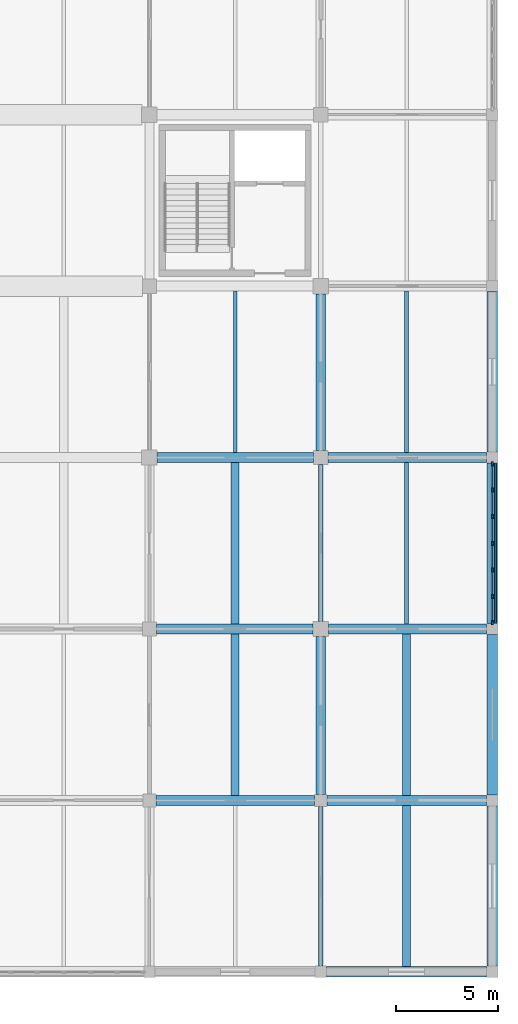
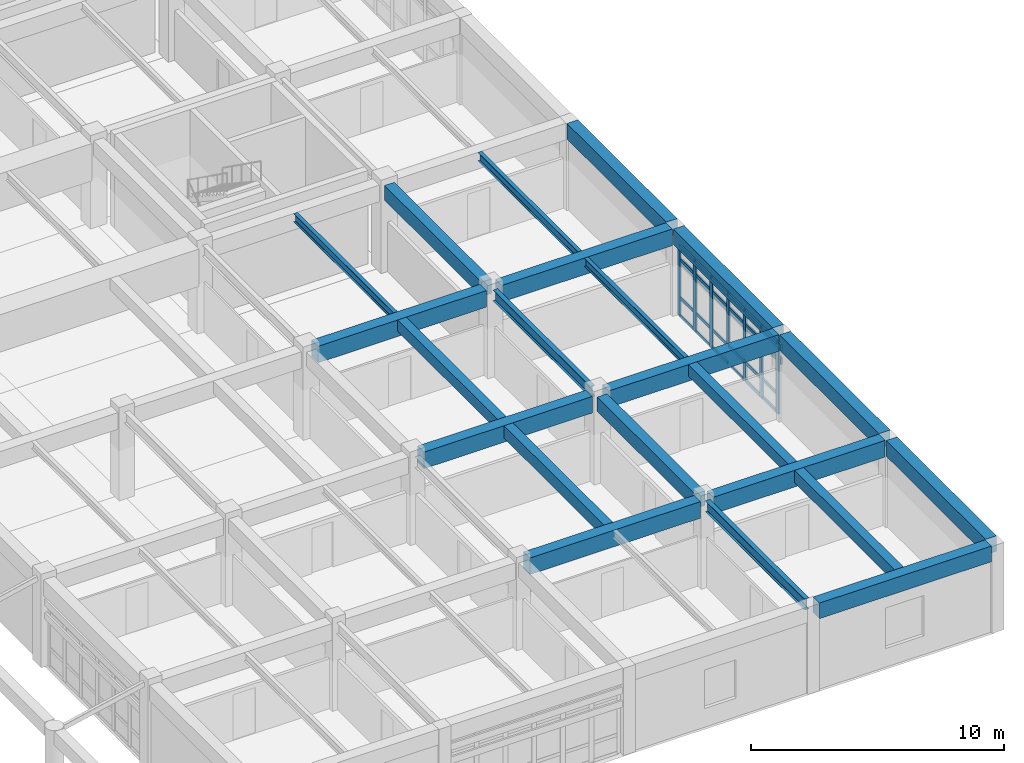
# One storey, part 46 of 99: 33 members, 22 beams, 1 element without a shape of its own.
"""IFC4 building model written with IfcOpenShell, lengths in metres."""

import ifcopenshell
import ifcopenshell.guid

model = None  # the IFC model being written
_history = None  # IfcOwnerHistory: only IFC2X3 demands one
_inside = {}  # id of a spatial element -> (the spatial element, [elements in it])
_under = {}  # id of a project, library or spatial element -> (it, [spatial elements below it])
_declared = {}  # id of a project -> (the project, [libraries it declares])
_typed = {}  # id of a type object -> (the type object, [elements of that type])
_made_of = {}  # id of a material, layer set ... -> (it, [elements and type objects made of it])


def new_model(schema):
    """Start an empty IFC model of exactly this schema.

    Asked for "IFC4X3", IfcOpenShell would pick the latest addendum, in which some entities
    have other attributes; the version numbers below select the first issue.
    IFC2X3 requires an IfcOwnerHistory on every rooted entity: one is made here for all.
    """
    global model, _history
    if schema == "IFC4X3":
        model = ifcopenshell.file(schema_version=(4, 3, 0, 0))
    else:
        model = ifcopenshell.file(schema=schema)
    _inside.clear()
    _under.clear()
    _declared.clear()
    _typed.clear()
    _made_of.clear()
    _history = None
    if model.schema == "IFC2X3":
        org = make("IfcOrganization", Name="unknown")
        user = make(
            "IfcPersonAndOrganization",
            ThePerson=make("IfcPerson", FamilyName="unknown"),
            TheOrganization=org,
        )
        app = make(
            "IfcApplication",
            ApplicationDeveloper=org,
            Version="unknown",
            ApplicationFullName="unknown",
            ApplicationIdentifier="unknown",
        )
        _history = make(
            "IfcOwnerHistory",
            OwningUser=user,
            OwningApplication=app,
            ChangeAction="ADDED",
            CreationDate=0,
        )
    return model


def make(cls, **values):
    """One entity of the class cls with the attributes given. An attribute that is None is left unset."""
    return model.create_entity(
        cls, **{name: value for name, value in values.items() if value is not None}
    )


def rooted(cls, **values):
    """An entity with a GlobalId (a new one), such as an element, a storey or a relation."""
    return make(cls, GlobalId=ifcopenshell.guid.new(), OwnerHistory=_history, **values)


def si_unit(unit_type, name, prefix=None):
    """IfcSIUnit, for example si_unit("LENGTHUNIT", "METRE", prefix="MILLI")."""
    return make("IfcSIUnit", UnitType=unit_type, Prefix=prefix, Name=name)


def assignment(units):
    """IfcUnitAssignment: the units of a project."""
    return None if units is None else make("IfcUnitAssignment", Units=units)


def point(xyz):
    """IfcCartesianPoint."""
    return None if xyz is None else make("IfcCartesianPoint", Coordinates=xyz)


def direction(xyz):
    """IfcDirection."""
    return None if xyz is None else make("IfcDirection", DirectionRatios=xyz)


def frame(location, z_axis=None, x_axis=None):
    """IfcAxis2Placement3D, a coordinate frame: its origin and axes. An axis left out is left unset."""
    return make(
        "IfcAxis2Placement3D",
        Location=point(location),
        Axis=direction(z_axis),
        RefDirection=direction(x_axis),
    )


def frame_2d(location, x_axis=None):
    """IfcAxis2Placement2D, a coordinate frame in the plane: its origin and x axis."""
    return make(
        "IfcAxis2Placement2D", Location=point(location), RefDirection=direction(x_axis)
    )


def origin():
    """The frame at (0, 0, 0) with its axes left unset."""
    return frame((0.0, 0.0, 0.0))


def origin_2d():
    """The frame at (0, 0) in the plane with its x axis left unset."""
    return frame_2d((0.0, 0.0))


def place(relative_to, where):
    """IfcLocalPlacement: puts the frame where relative to a parent placement (None: the world)."""
    return make(
        "IfcLocalPlacement", PlacementRelTo=relative_to, RelativePlacement=where
    )


def context(
    kind, dimensions, precision=None, world=None, true_north=None, identifier=None
):
    """IfcGeometricRepresentationContext, for example the 3D "Model" context."""
    return make(
        "IfcGeometricRepresentationContext",
        ContextIdentifier=identifier,
        ContextType=kind,
        CoordinateSpaceDimension=dimensions,
        Precision=precision,
        WorldCoordinateSystem=world,
        TrueNorth=true_north,
    )


def subcontext(parent, identifier, kind, view, scale=None):
    """IfcGeometricRepresentationSubContext, for example "Body" below "Model"."""
    return make(
        "IfcGeometricRepresentationSubContext",
        ContextIdentifier=identifier,
        ContextType=kind,
        ParentContext=parent,
        TargetScale=scale,
        TargetView=view,
    )


def project(units=None, contexts=None):
    """IfcProject with its units and contexts."""
    return rooted(
        "IfcProject",
        Name="project",
        RepresentationContexts=contexts,
        UnitsInContext=assignment(units),
    )


def spatial(cls, under=None, at=None, **own):
    """A site, building, storey or space (cls), placed at a placement, below another one or the project."""
    s = rooted(cls, ObjectPlacement=at, **own)
    if under is not None:
        _under.setdefault(under.id(), (under, []))[1].append(s)
    return s


def profile(cls, at=None, kind="AREA", **sizes):
    """A parametric profile (cls). Its sizes go by their IFC names, for example OverallWidth=200.0."""
    return make(cls, ProfileType=kind, Position=at, **sizes)


def rectangle(**sizes):
    """IfcRectangleProfileDef."""
    return profile("IfcRectangleProfileDef", **sizes)


def i_section(**sizes):
    """IfcIShapeProfileDef."""
    return profile("IfcIShapeProfileDef", **sizes)


def extrude(swept, where, along, depth):
    """IfcExtrudedAreaSolid: the profile swept, set in the frame where, extruded along a direction by depth."""
    return make(
        "IfcExtrudedAreaSolid",
        SweptArea=swept,
        Position=where,
        ExtrudedDirection=direction(along),
        Depth=depth,
    )


def shape(context_of_items, identifier, shape_type, items):
    """IfcShapeRepresentation: the items that make up one representation, for example the "Body"."""
    return make(
        "IfcShapeRepresentation",
        ContextOfItems=context_of_items,
        RepresentationIdentifier=identifier,
        RepresentationType=shape_type,
        Items=items,
    )


def material(Name=None, Category=None):
    """IfcMaterial."""
    return make("IfcMaterial", Name=Name, Category=Category)


def layer(
    of_material, thickness, ventilated=None, Name=None, Category=None, Priority=None
):
    """IfcMaterialLayer: one layer of a wall or slab, of a material (None: an air gap)."""
    return make(
        "IfcMaterialLayer",
        Material=of_material,
        LayerThickness=thickness,
        IsVentilated=ventilated,
        Name=Name,
        Category=Category,
        Priority=Priority,
    )


def layer_set(layers, Name=None):
    """IfcMaterialLayerSet."""
    return make("IfcMaterialLayerSet", MaterialLayers=layers, LayerSetName=Name)


def material_profile(
    of_material, cross_section, Name=None, Category=None, Priority=None
):
    """IfcMaterialProfile: a cross section and its material."""
    return make(
        "IfcMaterialProfile",
        Name=Name,
        Material=of_material,
        Profile=cross_section,
        Priority=Priority,
        Category=Category,
    )


def profile_set(profiles, Name=None, composite=None):
    """IfcMaterialProfileSet."""
    return make(
        "IfcMaterialProfileSet",
        Name=Name,
        MaterialProfiles=profiles,
        CompositeProfile=composite,
    )


def made_of(thing, what):
    """Note that an element or type object is made of a material, layer set ...; save() writes the relation."""
    if what is not None:
        _made_of.setdefault(what.id(), (what, []))[1].append(thing)
    return thing


def type_object(cls, material=None, **own):
    """A type object (cls), such as IfcWallType, which elements share."""
    return made_of(rooted(cls, **own), material)


def element(
    cls,
    number,
    at=None,
    inside=None,
    cuts=None,
    type_object=None,
    material=None,
    context=None,
    identifier="Body",
    shape_type=None,
    held_by="IfcProductDefinitionShape",
    body=None,
    shapes=None,
    **own,
):
    """One element of the class cls, such as IfcWall. Its Tag is "e" and its number.

    at: its placement. inside: the storey or other place that contains it. cuts: it is an
    opening in that element (IfcRelVoidsElement). A single representation is given by context,
    identifier, shape_type and body (its items); several are given by shapes. held_by: the class
    of the entity that holds the representations. save() writes the other relations.
    """
    e = rooted(cls, Tag="e%d" % number, ObjectPlacement=at, **own)
    if body is not None:
        shapes = [shape(context, identifier, shape_type, body)]
    if shapes is not None:
        e.Representation = make(held_by, Representations=shapes)
    if inside is not None:
        _inside.setdefault(inside.id(), (inside, []))[1].append(e)
    if cuts is not None:
        rooted(
            "IfcRelVoidsElement", RelatingBuildingElement=cuts, RelatedOpeningElement=e
        )
    if type_object is not None:
        _typed.setdefault(type_object.id(), (type_object, []))[1].append(e)
    return made_of(e, material)


def aggregate(whole, parts):
    """IfcRelAggregates: a whole, such as a stair, and the parts it consists of."""
    return rooted("IfcRelAggregates", RelatingObject=whole, RelatedObjects=parts)


def save(model, path):
    """Write the relations noted so far, then the file.

    IfcRelAggregates (storeys below a building ...), IfcRelContainedInSpatialStructure (elements
    in a storey), IfcRelDefinesByType, IfcRelAssociatesMaterial and IfcRelDeclares: one each for
    every whole, place, type object, material and project.
    """
    for whole, parts in _under.values():
        aggregate(whole, parts)
    for where, things in _inside.values():
        rooted(
            "IfcRelContainedInSpatialStructure",
            RelatedElements=things,
            RelatingStructure=where,
        )
    for kind, things in _typed.values():
        rooted("IfcRelDefinesByType", RelatedObjects=things, RelatingType=kind)
    for what, things in _made_of.values():
        rooted("IfcRelAssociatesMaterial", RelatedObjects=things, RelatingMaterial=what)
    for by, libraries in _declared.values():
        rooted("IfcRelDeclares", RelatingContext=by, RelatedDefinitions=libraries)
    model.write(path)


model = new_model("IFC4")

# Units and contexts
model_context = context("Model", 3, precision=1e-05, world=origin(), true_north=direction((0.0, 1.0)))
body_context = subcontext(model_context, "Body", "Model", "MODEL_VIEW")
ifc_project = project(units=[si_unit("LENGTHUNIT", "METRE"), si_unit("AREAUNIT", "SQUARE_METRE"), si_unit("VOLUMEUNIT", "CUBIC_METRE"), si_unit("PLANEANGLEUNIT", "RADIAN"), si_unit("MASSUNIT", "GRAM", prefix="KILO")], contexts=[model_context])

# Site, building, storey
site_placement = place(None, origin())
site = spatial("IfcSite", under=ifc_project, at=site_placement, CompositionType="ELEMENT")
building_placement = place(site_placement, origin())
building = spatial("IfcBuilding", under=site, at=building_placement, Name="Porcellanite Civic Hall", CompositionType="ELEMENT")
storey_placement = place(building_placement, frame((0.0, 0.0, 5.760009765625)))
storey = spatial("IfcBuildingStorey", under=building, at=storey_placement, Name="L01", CompositionType="ELEMENT", Elevation=5.760009765625)

# Beams
ifc_material_1 = material(Name="Concrete N50 (50 MPa)", Category="concrete")
ifc_material_profile_1 = material_profile(ifc_material_1, rectangle(XDim=0.39990234375, YDim=0.550048828125, at=origin_2d()), Name="RC-400x550")
ifc_profile_set_1 = profile_set([ifc_material_profile_1], Name="Concrete N50 (50 MPa)")
beam_type_1 = type_object("IfcBeamType", Name="BM-RC550", PredefinedType="JOIST", material=ifc_profile_set_1)
beam_1_placement = place(storey_placement, frame((163.800048828125, 17.049560546875, 3.925048828125), z_axis=(0.0, 1.0, 0.0), x_axis=(-1.0, 0.0, 0.0)))
element("IfcBeam", 1, at=beam_1_placement, inside=storey, type_object=beam_type_1, Name="Secondary joist L01 20-3", PredefinedType="JOIST", context=body_context, shape_type="SweptSolid", body=[
    extrude(rectangle(XDim=0.39990234375, YDim=0.550048828125, at=origin_2d()), origin(), (0.0, 0.0, 1.0), 7.90087890625),
])
beam_2_placement = place(storey_placement, frame((172.199951171875, 8.6494140625, 3.925048828125), z_axis=(0.0, 1.0, 0.0), x_axis=(-1.0, 0.0, 0.0)))
element("IfcBeam", 2, at=beam_2_placement, inside=storey, type_object=beam_type_1, Name="Secondary joist L01 21-2", PredefinedType="JOIST", context=body_context, shape_type="SweptSolid", body=[
    extrude(rectangle(XDim=0.39990234375, YDim=0.550048828125, at=origin_2d()), origin(), (0.0, 0.0, 1.0), 7.901123046875),
])
ifc_material_2 = material(Name="Concrete N50 (50 MPa)", Category="concrete")
ifc_material_profile_2 = material_profile(ifc_material_2, rectangle(XDim=0.39990234375, YDim=0.60009765625, at=origin_2d()), Name="RC-400x600")
ifc_profile_set_2 = profile_set([ifc_material_profile_2], Name="Concrete N50 (50 MPa)")
beam_type_2 = type_object("IfcBeamType", Name="BM-RC600", PredefinedType="JOIST", material=ifc_profile_set_2)
beam_3_placement = place(storey_placement, frame((163.800048828125, 8.6494140625, 3.89990234375), z_axis=(0.0, 1.0, 0.0), x_axis=(-1.0, 0.0, 0.0)))
element("IfcBeam", 3, at=beam_3_placement, inside=storey, type_object=beam_type_2, Name="Secondary joist L01 20-2", PredefinedType="JOIST", context=body_context, shape_type="SweptSolid", body=[
    extrude(rectangle(XDim=0.39990234375, YDim=0.60009765625, at=origin_2d()), origin(), (0.0, 0.0, 1.0), 7.901123046875),
])
beam_4_placement = place(storey_placement, frame((172.199951171875, 0.24951171875, 3.89990234375), z_axis=(0.0, 1.0, 0.0), x_axis=(-1.0, 0.0, 0.0)))
element("IfcBeam", 4, at=beam_4_placement, inside=storey, type_object=beam_type_2, Name="Secondary joist L01 21-1", PredefinedType="JOIST", context=body_context, shape_type="SweptSolid", body=[
    extrude(rectangle(XDim=0.39990234375, YDim=0.60009765625, at=origin_2d()), origin(), (0.0, 0.0, 1.0), 7.90087890625),
])
ifc_material_3 = material(Name="Concrete N50 (50 MPa)", Category="concrete")
ifc_material_profile_3 = material_profile(ifc_material_3, rectangle(XDim=0.449951171875, YDim=0.699951171875, at=origin_2d()), Name="RC-450x700")
ifc_profile_set_3 = profile_set([ifc_material_profile_3], Name="Concrete N50 (50 MPa)")
beam_type_3 = type_object("IfcBeamType", Name="BM-RC700", PredefinedType="BEAM", material=ifc_profile_set_3)
beam_5_placement = place(storey_placement, frame((168.0, 8.699462890625, 3.85009765625), z_axis=(0.0, 1.0, 0.0), x_axis=(-1.0, 0.0, 0.0)))
element("IfcBeam", 5, at=beam_5_placement, inside=storey, type_object=beam_type_3, Name="Beam Y L01 21-2", PredefinedType="BEAM", context=body_context, shape_type="SweptSolid", body=[
    extrude(rectangle(XDim=0.449951171875, YDim=0.699951171875, at=origin_2d()), origin(), (0.0, 0.0, 1.0), 7.72607421875),
])
beam_6_placement = place(storey_placement, frame((168.0, 25.549560546875, 3.85009765625), z_axis=(0.0, 1.0, 0.0), x_axis=(-1.0, 0.0, 0.0)))
element("IfcBeam", 6, at=beam_6_placement, inside=storey, type_object=beam_type_3, Name="Beam Y L01 21-4", PredefinedType="BEAM", context=body_context, shape_type="SweptSolid", body=[
    extrude(rectangle(XDim=0.449951171875, YDim=0.699951171875, at=origin_2d()), origin(), (0.0, 0.0, 1.0), 7.676025390625),
])
ifc_material_4 = material(Name="Concrete N50 (50 MPa)", Category="concrete")
ifc_material_profile_4 = material_profile(ifc_material_4, rectangle(XDim=0.5, YDim=0.75, at=origin_2d()), Name="RC-500x750")
ifc_profile_set_4 = profile_set([ifc_material_profile_4], Name="Concrete N50 (50 MPa)")
beam_type_4 = type_object("IfcBeamType", Name="BM-RC750", PredefinedType="SPANDREL", material=ifc_profile_set_4)
for number, where, z_axis, x_axis, name in (
    (7, (168.2744140625, 0.0, 3.824951171875), (1.0, 0.0, 0.0), (0.0, 1.0, 0.0), "Beam X L01 21-1"),
    (8, (176.39990234375, 0.2744140625, 3.824951171875), (0.0, 1.0, 0.0), (-1.0, 0.0, 0.0), "Beam Y L01 22-1"),
):
    element("IfcBeam", number, at=place(storey_placement, frame(where, z_axis=z_axis, x_axis=x_axis)), inside=storey, type_object=beam_type_4, Name=name, PredefinedType="SPANDREL", context=body_context, shape_type="SweptSolid", body=[
        extrude(rectangle(XDim=0.5, YDim=0.75, at=origin_2d()), origin(), (0.0, 0.0, 1.0), 7.85107421875),
    ])
beam_7_placement = place(storey_placement, frame((176.39990234375, 8.674560546875, 3.824951171875), z_axis=(0.0, 1.0, 0.0), x_axis=(-1.0, 0.0, 0.0)))
element("IfcBeam", 9, at=beam_7_placement, inside=storey, type_object=beam_type_4, Name="Beam Y L01 22-2", PredefinedType="SPANDREL", context=body_context, shape_type="SweptSolid", body=[
    extrude(rectangle(XDim=0.5, YDim=0.75, at=origin_2d()), origin(), (0.0, 0.0, 1.0), 7.850830078125),
])
beam_8_placement = place(storey_placement, frame((176.39990234375, 17.074462890625, 3.824951171875), z_axis=(0.0, 1.0, 0.0), x_axis=(-1.0, 0.0, 0.0)))
element("IfcBeam", 10, at=beam_8_placement, inside=storey, type_object=beam_type_4, Name="Beam Y L01 22-3", PredefinedType="SPANDREL", context=body_context, shape_type="SweptSolid", body=[
    extrude(rectangle(XDim=0.5, YDim=0.75, at=origin_2d()), origin(), (0.0, 0.0, 1.0), 7.85107421875),
])
beam_9_placement = place(storey_placement, frame((176.39990234375, 25.474609375, 3.824951171875), z_axis=(0.0, 1.0, 0.0), x_axis=(-1.0, 0.0, 0.0)))
element("IfcBeam", 11, at=beam_9_placement, inside=storey, type_object=beam_type_4, Name="Beam Y L01 22-4", PredefinedType="SPANDREL", context=body_context, shape_type="SweptSolid", body=[
    extrude(rectangle(XDim=0.5, YDim=0.75, at=origin_2d()), origin(), (0.0, 0.0, 1.0), 7.850830078125),
])
ifc_material_5 = material(Name="Concrete N50 (50 MPa)", Category="concrete")
ifc_material_profile_5 = material_profile(ifc_material_5, rectangle(XDim=0.5, YDim=0.800048828125, at=origin_2d()), Name="RC-500x800")
ifc_profile_set_5 = profile_set([ifc_material_profile_5], Name="Concrete N50 (50 MPa)")
beam_type_5 = type_object("IfcBeamType", Name="BM-RC800", PredefinedType="BEAM", material=ifc_profile_set_5)
beam_10_placement = place(storey_placement, frame((159.924560546875, 8.39990234375, 3.800048828125), z_axis=(1.0, 0.0, 0.0), x_axis=(0.0, 1.0, 0.0)))
element("IfcBeam", 12, at=beam_10_placement, inside=storey, type_object=beam_type_5, Name="Beam X L01 20-2", PredefinedType="BEAM", context=body_context, shape_type="SweptSolid", body=[
    extrude(rectangle(XDim=0.5, YDim=0.800048828125, at=origin_2d()), origin(), (0.0, 0.0, 1.0), 7.77587890625),
])
beam_11_placement = place(storey_placement, frame((159.949462890625, 16.800048828125, 3.800048828125), z_axis=(1.0, 0.0, 0.0), x_axis=(0.0, 1.0, 0.0)))
element("IfcBeam", 13, at=beam_11_placement, inside=storey, type_object=beam_type_5, Name="Beam X L01 20-3", PredefinedType="BEAM", context=body_context, shape_type="SweptSolid", body=[
    extrude(rectangle(XDim=0.5, YDim=0.800048828125, at=origin_2d()), origin(), (0.0, 0.0, 1.0), 7.676025390625),
])
beam_12_placement = place(storey_placement, frame((159.974609375, 25.199951171875, 3.800048828125), z_axis=(1.0, 0.0, 0.0), x_axis=(0.0, 1.0, 0.0)))
element("IfcBeam", 14, at=beam_12_placement, inside=storey, type_object=beam_type_5, Name="Beam X L01 20-4", PredefinedType="BEAM", context=body_context, shape_type="SweptSolid", body=[
    extrude(rectangle(XDim=0.5, YDim=0.800048828125, at=origin_2d()), origin(), (0.0, 0.0, 1.0), 7.67578125),
])
beam_13_placement = place(storey_placement, frame((168.299560546875, 8.39990234375, 3.800048828125), z_axis=(1.0, 0.0, 0.0), x_axis=(0.0, 1.0, 0.0)))
element("IfcBeam", 15, at=beam_13_placement, inside=storey, type_object=beam_type_5, Name="Beam X L01 21-2", PredefinedType="BEAM", context=body_context, shape_type="SweptSolid", body=[
    extrude(rectangle(XDim=0.5, YDim=0.800048828125, at=origin_2d()), origin(), (0.0, 0.0, 1.0), 7.825927734375),
])
beam_14_placement = place(storey_placement, frame((168.37451171875, 16.800048828125, 3.800048828125), z_axis=(1.0, 0.0, 0.0), x_axis=(0.0, 1.0, 0.0)))
element("IfcBeam", 16, at=beam_14_placement, inside=storey, type_object=beam_type_5, Name="Beam X L01 21-3", PredefinedType="BEAM", context=body_context, shape_type="SweptSolid", body=[
    extrude(rectangle(XDim=0.5, YDim=0.800048828125, at=origin_2d()), origin(), (0.0, 0.0, 1.0), 7.7509765625),
])
beam_15_placement = place(storey_placement, frame((168.349609375, 25.199951171875, 3.800048828125), z_axis=(1.0, 0.0, 0.0), x_axis=(0.0, 1.0, 0.0)))
element("IfcBeam", 17, at=beam_15_placement, inside=storey, type_object=beam_type_5, Name="Beam X L01 21-4", PredefinedType="BEAM", context=body_context, shape_type="SweptSolid", body=[
    extrude(rectangle(XDim=0.5, YDim=0.800048828125, at=origin_2d()), origin(), (0.0, 0.0, 1.0), 7.77587890625),
])

# Curtain wall, members
ifc_material_6 = material(Name="Anodised aluminium and solar laminated glass", Category="aluminium")
ifc_layer = layer(ifc_material_6, 0.179931640625)
ifc_layer_set = layer_set([ifc_layer], Name="Anodised aluminium and solar laminated glass")
curtain_wall_type = type_object("IfcCurtainWallType", Name="CW-SYS02", PredefinedType="NOTDEFINED", material=ifc_layer_set)
curtain_wall_placement = place(storey_placement, origin())
curtain_wall = element("IfcCurtainWall", 18, at=curtain_wall_placement, inside=storey, type_object=curtain_wall_type, Name="Curtain wall CW-129", PredefinedType="NOTDEFINED")
ifc_material_7 = material(Name="Anodised aluminium 6063-T6", Category="aluminium")
ifc_material_profile_6 = material_profile(ifc_material_7, rectangle(XDim=0.074951171875, YDim=0.219970703125, at=origin_2d()), Name="AL-75x220")
ifc_profile_set_6 = profile_set([ifc_material_profile_6], Name="Anodised aluminium 6063-T6")
member_type_1 = type_object("IfcMemberType", Name="CWM-03", PredefinedType="MULLION", material=ifc_profile_set_6)
member_1_placement = place(storey_placement, frame((176.39990234375, 24.886474609375, 0.0), z_axis=(0.0, 0.0, 1.0), x_axis=(1.0, 0.0, 0.0)))
member_1 = element("IfcMember", 19, at=member_1_placement, type_object=member_type_1, Name="CW-129 mullion 1", PredefinedType="MULLION", context=body_context, shape_type="SweptSolid", body=[
    extrude(rectangle(XDim=0.074951171875, YDim=0.219970703125, at=origin_2d()), origin(), (0.0, 0.0, 1.0), 3.39990234375),
])
member_2_placement = place(storey_placement, frame((176.39990234375, 23.615966796875, 0.0), z_axis=(0.0, 0.0, 1.0), x_axis=(1.0, 0.0, 0.0)))
member_2 = element("IfcMember", 20, at=member_2_placement, type_object=member_type_1, Name="CW-129 mullion 2", PredefinedType="MULLION", context=body_context, shape_type="SweptSolid", body=[
    extrude(rectangle(XDim=0.074951171875, YDim=0.219970703125, at=origin_2d()), origin(), (0.0, 0.0, 1.0), 3.39990234375),
])
member_3_placement = place(storey_placement, frame((176.39990234375, 22.30810546875, 0.0), z_axis=(0.0, 0.0, 1.0), x_axis=(1.0, 0.0, 0.0)))
member_3 = element("IfcMember", 21, at=member_3_placement, type_object=member_type_1, Name="CW-129 mullion 3", PredefinedType="MULLION", context=body_context, shape_type="SweptSolid", body=[
    extrude(rectangle(XDim=0.074951171875, YDim=0.219970703125, at=origin_2d()), origin(), (0.0, 0.0, 1.0), 3.39990234375),
])
member_4_placement = place(storey_placement, frame((176.39990234375, 21.0, 0.0), z_axis=(0.0, 0.0, 1.0), x_axis=(1.0, 0.0, 0.0)))
member_4 = element("IfcMember", 22, at=member_4_placement, type_object=member_type_1, Name="CW-129 mullion 4", PredefinedType="MULLION", context=body_context, shape_type="SweptSolid", body=[
    extrude(rectangle(XDim=0.074951171875, YDim=0.219970703125, at=origin_2d()), origin(), (0.0, 0.0, 1.0), 3.39990234375),
])
member_5_placement = place(storey_placement, frame((176.39990234375, 19.69189453125, 0.0), z_axis=(0.0, 0.0, 1.0), x_axis=(1.0, 0.0, 0.0)))
member_5 = element("IfcMember", 23, at=member_5_placement, type_object=member_type_1, Name="CW-129 mullion 5", PredefinedType="MULLION", context=body_context, shape_type="SweptSolid", body=[
    extrude(rectangle(XDim=0.074951171875, YDim=0.219970703125, at=origin_2d()), origin(), (0.0, 0.0, 1.0), 3.39990234375),
])
member_6_placement = place(storey_placement, frame((176.39990234375, 18.384033203125, 0.0), z_axis=(0.0, 0.0, 1.0), x_axis=(1.0, 0.0, 0.0)))
member_6 = element("IfcMember", 24, at=member_6_placement, type_object=member_type_1, Name="CW-129 mullion 6", PredefinedType="MULLION", context=body_context, shape_type="SweptSolid", body=[
    extrude(rectangle(XDim=0.074951171875, YDim=0.219970703125, at=origin_2d()), origin(), (0.0, 0.0, 1.0), 3.39990234375),
])
member_7_placement = place(storey_placement, frame((176.39990234375, 17.113525390625, 0.0), z_axis=(0.0, 0.0, 1.0), x_axis=(1.0, 0.0, 0.0)))
member_7 = element("IfcMember", 25, at=member_7_placement, type_object=member_type_1, Name="CW-129 mullion 7", PredefinedType="MULLION", context=body_context, shape_type="SweptSolid", body=[
    extrude(rectangle(XDim=0.074951171875, YDim=0.219970703125, at=origin_2d()), origin(), (0.0, 0.0, 1.0), 3.39990234375),
])
ifc_material_8 = material(Name="Anodised aluminium 6063-T6", Category="aluminium")
ifc_material_profile_7 = material_profile(ifc_material_8, rectangle(XDim=0.06494140625, YDim=0.14990234375, at=origin_2d()), Name="AL-65x150")
ifc_profile_set_7 = profile_set([ifc_material_profile_7], Name="Anodised aluminium 6063-T6")
member_type_2 = type_object("IfcMemberType", Name="CWT-02", PredefinedType="USERDEFINED", material=ifc_profile_set_7)
member_8_placement = place(storey_placement, frame((176.39990234375, 24.84912109375, 0.032470703125), z_axis=(0.0, -1.0, 0.0), x_axis=(1.0, 0.0, 0.0)))
member_8 = element("IfcMember", 26, at=member_8_placement, type_object=member_type_2, Name="CW-129 transom 1.1", ObjectType="TRANSOM", PredefinedType="USERDEFINED", context=body_context, shape_type="SweptSolid", body=[
    extrude(rectangle(XDim=0.06494140625, YDim=0.14990234375, at=origin_2d()), origin(), (0.0, 0.0, 1.0), 1.195556640625),
])
member_9_placement = place(storey_placement, frame((176.39990234375, 24.84912109375, 0.89990234375), z_axis=(0.0, -1.0, 0.0), x_axis=(1.0, 0.0, 0.0)))
member_9 = element("IfcMember", 27, at=member_9_placement, type_object=member_type_2, Name="CW-129 transom 1.2", ObjectType="TRANSOM", PredefinedType="USERDEFINED", context=body_context, shape_type="SweptSolid", body=[
    extrude(rectangle(XDim=0.06494140625, YDim=0.14990234375, at=origin_2d()), origin(), (0.0, 0.0, 1.0), 1.195556640625),
])
member_10_placement = place(storey_placement, frame((176.39990234375, 24.84912109375, 2.75), z_axis=(0.0, -1.0, 0.0), x_axis=(1.0, 0.0, 0.0)))
member_10 = element("IfcMember", 28, at=member_10_placement, type_object=member_type_2, Name="CW-129 transom 1.3", ObjectType="TRANSOM", PredefinedType="USERDEFINED", context=body_context, shape_type="SweptSolid", body=[
    extrude(rectangle(XDim=0.06494140625, YDim=0.14990234375, at=origin_2d()), origin(), (0.0, 0.0, 1.0), 1.195556640625),
])
member_11_placement = place(storey_placement, frame((176.39990234375, 24.84912109375, 3.367431640625), z_axis=(0.0, -1.0, 0.0), x_axis=(1.0, 0.0, 0.0)))
member_11 = element("IfcMember", 29, at=member_11_placement, type_object=member_type_2, Name="CW-129 transom 1.4", ObjectType="TRANSOM", PredefinedType="USERDEFINED", context=body_context, shape_type="SweptSolid", body=[
    extrude(rectangle(XDim=0.06494140625, YDim=0.14990234375, at=origin_2d()), origin(), (0.0, 0.0, 1.0), 1.195556640625),
])
member_12_placement = place(storey_placement, frame((176.39990234375, 23.57861328125, 0.032470703125), z_axis=(0.0, -1.0, 0.0), x_axis=(1.0, 0.0, 0.0)))
member_12 = element("IfcMember", 30, at=member_12_placement, type_object=member_type_2, Name="CW-129 transom 2.1", ObjectType="TRANSOM", PredefinedType="USERDEFINED", context=body_context, shape_type="SweptSolid", body=[
    extrude(rectangle(XDim=0.06494140625, YDim=0.14990234375, at=origin_2d()), origin(), (0.0, 0.0, 1.0), 1.233154296875),
])
member_13_placement = place(storey_placement, frame((176.39990234375, 23.57861328125, 0.89990234375), z_axis=(0.0, -1.0, 0.0), x_axis=(1.0, 0.0, 0.0)))
member_13 = element("IfcMember", 31, at=member_13_placement, type_object=member_type_2, Name="CW-129 transom 2.2", ObjectType="TRANSOM", PredefinedType="USERDEFINED", context=body_context, shape_type="SweptSolid", body=[
    extrude(rectangle(XDim=0.06494140625, YDim=0.14990234375, at=origin_2d()), origin(), (0.0, 0.0, 1.0), 1.233154296875),
])
member_14_placement = place(storey_placement, frame((176.39990234375, 23.57861328125, 2.75), z_axis=(0.0, -1.0, 0.0), x_axis=(1.0, 0.0, 0.0)))
member_14 = element("IfcMember", 32, at=member_14_placement, type_object=member_type_2, Name="CW-129 transom 2.3", ObjectType="TRANSOM", PredefinedType="USERDEFINED", context=body_context, shape_type="SweptSolid", body=[
    extrude(rectangle(XDim=0.06494140625, YDim=0.14990234375, at=origin_2d()), origin(), (0.0, 0.0, 1.0), 1.233154296875),
])
member_15_placement = place(storey_placement, frame((176.39990234375, 23.57861328125, 3.367431640625), z_axis=(0.0, -1.0, 0.0), x_axis=(1.0, 0.0, 0.0)))
member_15 = element("IfcMember", 33, at=member_15_placement, type_object=member_type_2, Name="CW-129 transom 2.4", ObjectType="TRANSOM", PredefinedType="USERDEFINED", context=body_context, shape_type="SweptSolid", body=[
    extrude(rectangle(XDim=0.06494140625, YDim=0.14990234375, at=origin_2d()), origin(), (0.0, 0.0, 1.0), 1.233154296875),
])
member_16_placement = place(storey_placement, frame((176.39990234375, 22.2705078125, 0.032470703125), z_axis=(0.0, -1.0, 0.0), x_axis=(1.0, 0.0, 0.0)))
member_16 = element("IfcMember", 34, at=member_16_placement, type_object=member_type_2, Name="CW-129 transom 3.1", ObjectType="TRANSOM", PredefinedType="USERDEFINED", context=body_context, shape_type="SweptSolid", body=[
    extrude(rectangle(XDim=0.06494140625, YDim=0.14990234375, at=origin_2d()), origin(), (0.0, 0.0, 1.0), 1.23291015625),
])
member_17_placement = place(storey_placement, frame((176.39990234375, 22.2705078125, 0.89990234375), z_axis=(0.0, -1.0, 0.0), x_axis=(1.0, 0.0, 0.0)))
member_17 = element("IfcMember", 35, at=member_17_placement, type_object=member_type_2, Name="CW-129 transom 3.2", ObjectType="TRANSOM", PredefinedType="USERDEFINED", context=body_context, shape_type="SweptSolid", body=[
    extrude(rectangle(XDim=0.06494140625, YDim=0.14990234375, at=origin_2d()), origin(), (0.0, 0.0, 1.0), 1.23291015625),
])
member_18_placement = place(storey_placement, frame((176.39990234375, 22.2705078125, 2.75), z_axis=(0.0, -1.0, 0.0), x_axis=(1.0, 0.0, 0.0)))
member_18 = element("IfcMember", 36, at=member_18_placement, type_object=member_type_2, Name="CW-129 transom 3.3", ObjectType="TRANSOM", PredefinedType="USERDEFINED", context=body_context, shape_type="SweptSolid", body=[
    extrude(rectangle(XDim=0.06494140625, YDim=0.14990234375, at=origin_2d()), origin(), (0.0, 0.0, 1.0), 1.23291015625),
])
member_19_placement = place(storey_placement, frame((176.39990234375, 22.2705078125, 3.367431640625), z_axis=(0.0, -1.0, 0.0), x_axis=(1.0, 0.0, 0.0)))
member_19 = element("IfcMember", 37, at=member_19_placement, type_object=member_type_2, Name="CW-129 transom 3.4", ObjectType="TRANSOM", PredefinedType="USERDEFINED", context=body_context, shape_type="SweptSolid", body=[
    extrude(rectangle(XDim=0.06494140625, YDim=0.14990234375, at=origin_2d()), origin(), (0.0, 0.0, 1.0), 1.23291015625),
])
member_20_placement = place(storey_placement, frame((176.39990234375, 20.96240234375, 0.032470703125), z_axis=(0.0, -1.0, 0.0), x_axis=(1.0, 0.0, 0.0)))
member_20 = element("IfcMember", 38, at=member_20_placement, type_object=member_type_2, Name="CW-129 transom 4.1", ObjectType="TRANSOM", PredefinedType="USERDEFINED", context=body_context, shape_type="SweptSolid", body=[
    extrude(rectangle(XDim=0.06494140625, YDim=0.14990234375, at=origin_2d()), origin(), (0.0, 0.0, 1.0), 1.23291015625),
])
member_21_placement = place(storey_placement, frame((176.39990234375, 20.96240234375, 0.89990234375), z_axis=(0.0, -1.0, 0.0), x_axis=(1.0, 0.0, 0.0)))
member_21 = element("IfcMember", 39, at=member_21_placement, type_object=member_type_2, Name="CW-129 transom 4.2", ObjectType="TRANSOM", PredefinedType="USERDEFINED", context=body_context, shape_type="SweptSolid", body=[
    extrude(rectangle(XDim=0.06494140625, YDim=0.14990234375, at=origin_2d()), origin(), (0.0, 0.0, 1.0), 1.23291015625),
])
member_22_placement = place(storey_placement, frame((176.39990234375, 20.96240234375, 2.75), z_axis=(0.0, -1.0, 0.0), x_axis=(1.0, 0.0, 0.0)))
member_22 = element("IfcMember", 40, at=member_22_placement, type_object=member_type_2, Name="CW-129 transom 4.3", ObjectType="TRANSOM", PredefinedType="USERDEFINED", context=body_context, shape_type="SweptSolid", body=[
    extrude(rectangle(XDim=0.06494140625, YDim=0.14990234375, at=origin_2d()), origin(), (0.0, 0.0, 1.0), 1.23291015625),
])
member_23_placement = place(storey_placement, frame((176.39990234375, 20.96240234375, 3.367431640625), z_axis=(0.0, -1.0, 0.0), x_axis=(1.0, 0.0, 0.0)))
member_23 = element("IfcMember", 41, at=member_23_placement, type_object=member_type_2, Name="CW-129 transom 4.4", ObjectType="TRANSOM", PredefinedType="USERDEFINED", context=body_context, shape_type="SweptSolid", body=[
    extrude(rectangle(XDim=0.06494140625, YDim=0.14990234375, at=origin_2d()), origin(), (0.0, 0.0, 1.0), 1.23291015625),
])
member_24_placement = place(storey_placement, frame((176.39990234375, 19.654541015625, 0.032470703125), z_axis=(0.0, -1.0, 0.0), x_axis=(1.0, 0.0, 0.0)))
member_24 = element("IfcMember", 42, at=member_24_placement, type_object=member_type_2, Name="CW-129 transom 5.1", ObjectType="TRANSOM", PredefinedType="USERDEFINED", context=body_context, shape_type="SweptSolid", body=[
    extrude(rectangle(XDim=0.06494140625, YDim=0.14990234375, at=origin_2d()), origin(), (0.0, 0.0, 1.0), 1.233154296875),
])
member_25_placement = place(storey_placement, frame((176.39990234375, 19.654541015625, 0.89990234375), z_axis=(0.0, -1.0, 0.0), x_axis=(1.0, 0.0, 0.0)))
member_25 = element("IfcMember", 43, at=member_25_placement, type_object=member_type_2, Name="CW-129 transom 5.2", ObjectType="TRANSOM", PredefinedType="USERDEFINED", context=body_context, shape_type="SweptSolid", body=[
    extrude(rectangle(XDim=0.06494140625, YDim=0.14990234375, at=origin_2d()), origin(), (0.0, 0.0, 1.0), 1.233154296875),
])
member_26_placement = place(storey_placement, frame((176.39990234375, 19.654541015625, 2.75), z_axis=(0.0, -1.0, 0.0), x_axis=(1.0, 0.0, 0.0)))
member_26 = element("IfcMember", 44, at=member_26_placement, type_object=member_type_2, Name="CW-129 transom 5.3", ObjectType="TRANSOM", PredefinedType="USERDEFINED", context=body_context, shape_type="SweptSolid", body=[
    extrude(rectangle(XDim=0.06494140625, YDim=0.14990234375, at=origin_2d()), origin(), (0.0, 0.0, 1.0), 1.233154296875),
])
member_27_placement = place(storey_placement, frame((176.39990234375, 19.654541015625, 3.367431640625), z_axis=(0.0, -1.0, 0.0), x_axis=(1.0, 0.0, 0.0)))
member_27 = element("IfcMember", 45, at=member_27_placement, type_object=member_type_2, Name="CW-129 transom 5.4", ObjectType="TRANSOM", PredefinedType="USERDEFINED", context=body_context, shape_type="SweptSolid", body=[
    extrude(rectangle(XDim=0.06494140625, YDim=0.14990234375, at=origin_2d()), origin(), (0.0, 0.0, 1.0), 1.233154296875),
])
member_28_placement = place(storey_placement, frame((176.39990234375, 18.346435546875, 0.032470703125), z_axis=(0.0, -1.0, 0.0), x_axis=(1.0, 0.0, 0.0)))
member_28 = element("IfcMember", 46, at=member_28_placement, type_object=member_type_2, Name="CW-129 transom 6.1", ObjectType="TRANSOM", PredefinedType="USERDEFINED", context=body_context, shape_type="SweptSolid", body=[
    extrude(rectangle(XDim=0.06494140625, YDim=0.14990234375, at=origin_2d()), origin(), (0.0, 0.0, 1.0), 1.195556640625),
])
member_29_placement = place(storey_placement, frame((176.39990234375, 18.346435546875, 0.89990234375), z_axis=(0.0, -1.0, 0.0), x_axis=(1.0, 0.0, 0.0)))
member_29 = element("IfcMember", 47, at=member_29_placement, type_object=member_type_2, Name="CW-129 transom 6.2", ObjectType="TRANSOM", PredefinedType="USERDEFINED", context=body_context, shape_type="SweptSolid", body=[
    extrude(rectangle(XDim=0.06494140625, YDim=0.14990234375, at=origin_2d()), origin(), (0.0, 0.0, 1.0), 1.195556640625),
])
member_30_placement = place(storey_placement, frame((176.39990234375, 18.346435546875, 2.75), z_axis=(0.0, -1.0, 0.0), x_axis=(1.0, 0.0, 0.0)))
member_30 = element("IfcMember", 48, at=member_30_placement, type_object=member_type_2, Name="CW-129 transom 6.3", ObjectType="TRANSOM", PredefinedType="USERDEFINED", context=body_context, shape_type="SweptSolid", body=[
    extrude(rectangle(XDim=0.06494140625, YDim=0.14990234375, at=origin_2d()), origin(), (0.0, 0.0, 1.0), 1.195556640625),
])
member_31_placement = place(storey_placement, frame((176.39990234375, 18.346435546875, 3.367431640625), z_axis=(0.0, -1.0, 0.0), x_axis=(1.0, 0.0, 0.0)))
member_31 = element("IfcMember", 49, at=member_31_placement, type_object=member_type_2, Name="CW-129 transom 6.4", ObjectType="TRANSOM", PredefinedType="USERDEFINED", context=body_context, shape_type="SweptSolid", body=[
    extrude(rectangle(XDim=0.06494140625, YDim=0.14990234375, at=origin_2d()), origin(), (0.0, 0.0, 1.0), 1.195556640625),
])
aggregate(curtain_wall, [member_1, member_2, member_3, member_4, member_5, member_6, member_7, member_8, member_9, member_10, member_11, member_12, member_13, member_14, member_15, member_16, member_17, member_18, member_19, member_20, member_21, member_22, member_23, member_24, member_25, member_26, member_27, member_28, member_29, member_30, member_31])

# Beams
ifc_material_9 = material(Name="Steel Grade 350", Category="steel")
ifc_material_profile_8 = material_profile(ifc_material_9, i_section(OverallWidth=0.177978515625, OverallDepth=0.403076171875, WebThickness=0.007568359375, FlangeThickness=0.010986328125, FilletRadius=0.011474609375, at=origin_2d()), Name="410UB53.7")
ifc_profile_set_8 = profile_set([ifc_material_profile_8], Name="Steel Grade 350")
beam_type_6 = type_object("IfcBeamType", Name="JST-410UB54", PredefinedType="JOIST", material=ifc_profile_set_8)
beam_16_placement = place(storey_placement, frame((172.199951171875, 25.449462890625, 3.99853515625), z_axis=(0.0, 1.0, 0.0), x_axis=(-1.0, 0.0, 0.0)))
element("IfcBeam", 50, at=beam_16_placement, inside=storey, type_object=beam_type_6, Name="Secondary joist L01 21-4", PredefinedType="JOIST", context=body_context, shape_type="SweptSolid", body=[
    extrude(i_section(OverallWidth=0.177978515625, OverallDepth=0.403076171875, WebThickness=0.007568359375, FlangeThickness=0.010986328125, FilletRadius=0.011474609375, at=origin_2d()), origin(), (0.0, 0.0, 1.0), 7.901123046875),
])
ifc_material_10 = material(Name="Steel Grade 350", Category="steel")
ifc_material_profile_9 = material_profile(ifc_material_10, i_section(OverallWidth=0.177978515625, OverallDepth=0.406005859375, WebThickness=0.0078125, FlangeThickness=0.0126953125, FilletRadius=0.011474609375, at=origin_2d()), Name="410UB59.7")
ifc_profile_set_9 = profile_set([ifc_material_profile_9], Name="Steel Grade 350")
beam_type_7 = type_object("IfcBeamType", Name="JST-410UB60", PredefinedType="JOIST", material=ifc_profile_set_9)
beam_17_placement = place(storey_placement, frame((163.800048828125, 25.449462890625, 3.9970703125), z_axis=(0.0, 1.0, 0.0), x_axis=(-1.0, 0.0, 0.0)))
element("IfcBeam", 51, at=beam_17_placement, inside=storey, type_object=beam_type_7, Name="Secondary joist L01 20-4", PredefinedType="JOIST", context=body_context, shape_type="SweptSolid", body=[
    extrude(i_section(OverallWidth=0.177978515625, OverallDepth=0.406005859375, WebThickness=0.0078125, FlangeThickness=0.0126953125, FilletRadius=0.011474609375, at=origin_2d()), origin(), (0.0, 0.0, 1.0), 7.901123046875),
])
beam_18_placement = place(storey_placement, frame((172.199951171875, 17.049560546875, 3.9970703125), z_axis=(0.0, 1.0, 0.0), x_axis=(-1.0, 0.0, 0.0)))
element("IfcBeam", 52, at=beam_18_placement, inside=storey, type_object=beam_type_7, Name="Secondary joist L01 21-3", PredefinedType="JOIST", context=body_context, shape_type="SweptSolid", body=[
    extrude(i_section(OverallWidth=0.177978515625, OverallDepth=0.406005859375, WebThickness=0.0078125, FlangeThickness=0.0126953125, FilletRadius=0.011474609375, at=origin_2d()), origin(), (0.0, 0.0, 1.0), 7.90087890625),
])

# Members
ifc_material_11 = material(Name="Fluoropolymer bauxite-red aluminium 6063-T6", Category="aluminium")
ifc_material_profile_10 = material_profile(ifc_material_11, rectangle(XDim=0.080078125, YDim=0.320068359375, at=origin_2d()), Name="AL-80x320")
ifc_profile_set_10 = profile_set([ifc_material_profile_10], Name="Fluoropolymer bauxite-red aluminium 6063-T6")
member_type_3 = type_object("IfcMemberType", Name="LV-BLD03", PredefinedType="USERDEFINED", material=ifc_profile_set_10)
for number, where, z_axis, x_axis, name in (
    (53, (176.552001953125, 24.925537109375, 3.10009765625), (0.0, -1.0, 0.0), (1.0, 0.0, 0.0), "Cyclone sunshade louvre L01 E 20-2 1"),
    (54, (176.552001953125, 24.925537109375, 2.449951171875), (0.0, -1.0, 0.0), (1.0, 0.0, 0.0), "Cyclone sunshade louvre L01 E 20-2 2"),
):
    element("IfcMember", number, at=place(storey_placement, frame(where, z_axis=z_axis, x_axis=x_axis)), inside=storey, type_object=member_type_3, Name=name, ObjectType="LOUVRE BLADE", PredefinedType="USERDEFINED", context=body_context, shape_type="SweptSolid", body=[
        extrude(rectangle(XDim=0.080078125, YDim=0.320068359375, at=origin_2d()), origin(), (0.0, 0.0, 1.0), 7.85107421875),
    ])

# Beams
ifc_material_12 = material(Name="Steel Grade 350", Category="steel")
ifc_material_profile_11 = material_profile(ifc_material_12, i_section(OverallWidth=0.208984375, OverallDepth=0.528076171875, WebThickness=0.009521484375, FlangeThickness=0.01318359375, FilletRadius=0.013916015625, at=origin_2d()), Name="530UB82.0")
ifc_profile_set_11 = profile_set([ifc_material_profile_11], Name="Steel Grade 350")
beam_type_8 = type_object("IfcBeamType", Name="RAF-530UB82", PredefinedType="BEAM", material=ifc_profile_set_11)
beam_19_placement = place(storey_placement, frame((168.0, 0.2744140625, 3.93603515625), z_axis=(0.0, 1.0, 0.0), x_axis=(-1.0, 0.0, 0.0)))
element("IfcBeam", 55, at=beam_19_placement, inside=storey, type_object=beam_type_8, Name="Beam Y L01 21-1", PredefinedType="BEAM", context=body_context, shape_type="SweptSolid", body=[
    extrude(i_section(OverallWidth=0.208984375, OverallDepth=0.528076171875, WebThickness=0.009521484375, FlangeThickness=0.01318359375, FilletRadius=0.013916015625, at=origin_2d()), origin(), (0.0, 0.0, 1.0), 7.826171875),
])
beam_20_placement = place(storey_placement, frame((168.0, 17.174560546875, 3.93603515625), z_axis=(0.0, 1.0, 0.0), x_axis=(-1.0, 0.0, 0.0)))
element("IfcBeam", 56, at=beam_20_placement, inside=storey, type_object=beam_type_8, Name="Beam Y L01 21-3", PredefinedType="BEAM", context=body_context, shape_type="SweptSolid", body=[
    extrude(i_section(OverallWidth=0.208984375, OverallDepth=0.528076171875, WebThickness=0.009521484375, FlangeThickness=0.01318359375, FilletRadius=0.013916015625, at=origin_2d()), origin(), (0.0, 0.0, 1.0), 7.676025390625),
])

save(model, "model.ifc")
